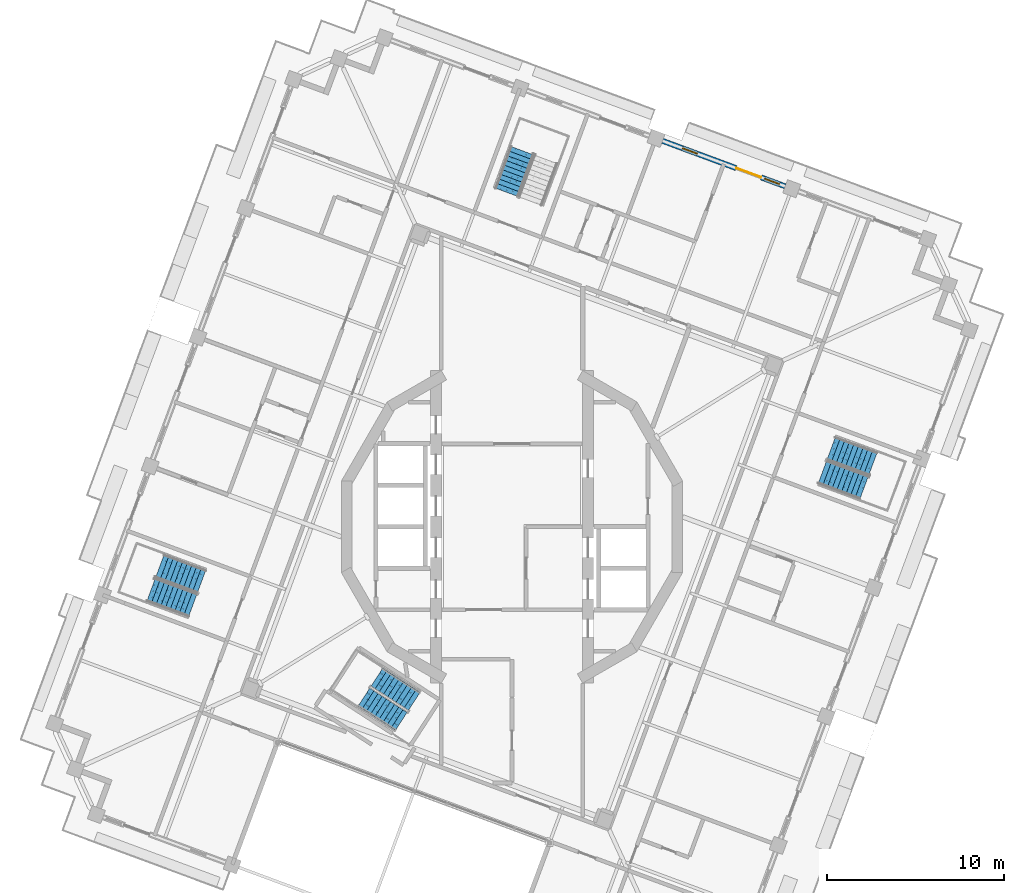
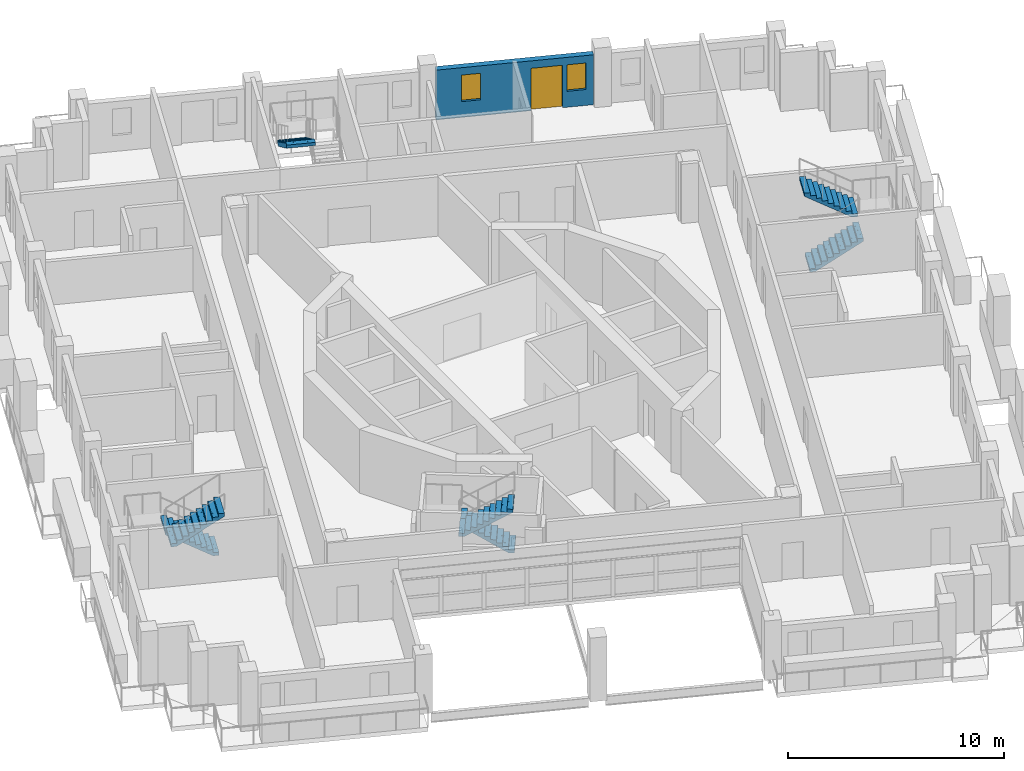
# One storey, part 11 of 19: 7 stair flights, 2 windows, 1 door, 1 wall, 3 openings, 4 elements without a shape of their own.
"""IFC4 building model written with IfcOpenShell, lengths in metres."""

import ifcopenshell
import ifcopenshell.guid

model = None  # the IFC model being written
_history = None  # IfcOwnerHistory: only IFC2X3 demands one
_inside = {}  # id of a spatial element -> (the spatial element, [elements in it])
_under = {}  # id of a project, library or spatial element -> (it, [spatial elements below it])
_declared = {}  # id of a project -> (the project, [libraries it declares])
_typed = {}  # id of a type object -> (the type object, [elements of that type])
_made_of = {}  # id of a material, layer set ... -> (it, [elements and type objects made of it])


def new_model(schema):
    """Start an empty IFC model of exactly this schema.

    Asked for "IFC4X3", IfcOpenShell would pick the latest addendum, in which some entities
    have other attributes; the version numbers below select the first issue.
    IFC2X3 requires an IfcOwnerHistory on every rooted entity: one is made here for all.
    """
    global model, _history
    if schema == "IFC4X3":
        model = ifcopenshell.file(schema_version=(4, 3, 0, 0))
    else:
        model = ifcopenshell.file(schema=schema)
    _inside.clear()
    _under.clear()
    _declared.clear()
    _typed.clear()
    _made_of.clear()
    _history = None
    if model.schema == "IFC2X3":
        org = make("IfcOrganization", Name="unknown")
        user = make(
            "IfcPersonAndOrganization",
            ThePerson=make("IfcPerson", FamilyName="unknown"),
            TheOrganization=org,
        )
        app = make(
            "IfcApplication",
            ApplicationDeveloper=org,
            Version="unknown",
            ApplicationFullName="unknown",
            ApplicationIdentifier="unknown",
        )
        _history = make(
            "IfcOwnerHistory",
            OwningUser=user,
            OwningApplication=app,
            ChangeAction="ADDED",
            CreationDate=0,
        )
    return model


def make(cls, **values):
    """One entity of the class cls with the attributes given. An attribute that is None is left unset."""
    return model.create_entity(
        cls, **{name: value for name, value in values.items() if value is not None}
    )


def rooted(cls, **values):
    """An entity with a GlobalId (a new one), such as an element, a storey or a relation."""
    return make(cls, GlobalId=ifcopenshell.guid.new(), OwnerHistory=_history, **values)


def si_unit(unit_type, name, prefix=None):
    """IfcSIUnit, for example si_unit("LENGTHUNIT", "METRE", prefix="MILLI")."""
    return make("IfcSIUnit", UnitType=unit_type, Prefix=prefix, Name=name)


def assignment(units):
    """IfcUnitAssignment: the units of a project."""
    return None if units is None else make("IfcUnitAssignment", Units=units)


def point(xyz):
    """IfcCartesianPoint."""
    return None if xyz is None else make("IfcCartesianPoint", Coordinates=xyz)


def direction(xyz):
    """IfcDirection."""
    return None if xyz is None else make("IfcDirection", DirectionRatios=xyz)


def frame(location, z_axis=None, x_axis=None):
    """IfcAxis2Placement3D, a coordinate frame: its origin and axes. An axis left out is left unset."""
    return make(
        "IfcAxis2Placement3D",
        Location=point(location),
        Axis=direction(z_axis),
        RefDirection=direction(x_axis),
    )


def frame_2d(location, x_axis=None):
    """IfcAxis2Placement2D, a coordinate frame in the plane: its origin and x axis."""
    return make(
        "IfcAxis2Placement2D", Location=point(location), RefDirection=direction(x_axis)
    )


def origin():
    """The frame at (0, 0, 0) with its axes left unset."""
    return frame((0.0, 0.0, 0.0))


def place(relative_to, where):
    """IfcLocalPlacement: puts the frame where relative to a parent placement (None: the world)."""
    return make(
        "IfcLocalPlacement", PlacementRelTo=relative_to, RelativePlacement=where
    )


def context(
    kind, dimensions, precision=None, world=None, true_north=None, identifier=None
):
    """IfcGeometricRepresentationContext, for example the 3D "Model" context."""
    return make(
        "IfcGeometricRepresentationContext",
        ContextIdentifier=identifier,
        ContextType=kind,
        CoordinateSpaceDimension=dimensions,
        Precision=precision,
        WorldCoordinateSystem=world,
        TrueNorth=true_north,
    )


def subcontext(parent, identifier, kind, view, scale=None):
    """IfcGeometricRepresentationSubContext, for example "Body" below "Model"."""
    return make(
        "IfcGeometricRepresentationSubContext",
        ContextIdentifier=identifier,
        ContextType=kind,
        ParentContext=parent,
        TargetScale=scale,
        TargetView=view,
    )


def project(units=None, contexts=None):
    """IfcProject with its units and contexts."""
    return rooted(
        "IfcProject",
        Name="project",
        RepresentationContexts=contexts,
        UnitsInContext=assignment(units),
    )


def spatial(cls, under=None, at=None, **own):
    """A site, building, storey or space (cls), placed at a placement, below another one or the project."""
    s = rooted(cls, ObjectPlacement=at, **own)
    if under is not None:
        _under.setdefault(under.id(), (under, []))[1].append(s)
    return s


def polyline(points):
    """IfcPolyline through the points."""
    return make("IfcPolyline", Points=[point(p) for p in points])


def profile(cls, at=None, kind="AREA", **sizes):
    """A parametric profile (cls). Its sizes go by their IFC names, for example OverallWidth=200.0."""
    return make(cls, ProfileType=kind, Position=at, **sizes)


def rectangle(**sizes):
    """IfcRectangleProfileDef."""
    return profile("IfcRectangleProfileDef", **sizes)


def outline(outer, holes=None, kind="AREA"):
    """IfcArbitraryClosedProfileDef: a profile drawn as a closed curve; with holes, ...WithVoids."""
    if holes is None:
        return make("IfcArbitraryClosedProfileDef", ProfileType=kind, OuterCurve=outer)
    return make(
        "IfcArbitraryProfileDefWithVoids",
        ProfileType=kind,
        OuterCurve=outer,
        InnerCurves=holes,
    )


def extrude(swept, where, along, depth):
    """IfcExtrudedAreaSolid: the profile swept, set in the frame where, extruded along a direction by depth."""
    return make(
        "IfcExtrudedAreaSolid",
        SweptArea=swept,
        Position=where,
        ExtrudedDirection=direction(along),
        Depth=depth,
    )


def shape(context_of_items, identifier, shape_type, items):
    """IfcShapeRepresentation: the items that make up one representation, for example the "Body"."""
    return make(
        "IfcShapeRepresentation",
        ContextOfItems=context_of_items,
        RepresentationIdentifier=identifier,
        RepresentationType=shape_type,
        Items=items,
    )


def material(Name=None, Category=None):
    """IfcMaterial."""
    return make("IfcMaterial", Name=Name, Category=Category)


def layer(
    of_material, thickness, ventilated=None, Name=None, Category=None, Priority=None
):
    """IfcMaterialLayer: one layer of a wall or slab, of a material (None: an air gap)."""
    return make(
        "IfcMaterialLayer",
        Material=of_material,
        LayerThickness=thickness,
        IsVentilated=ventilated,
        Name=Name,
        Category=Category,
        Priority=Priority,
    )


def layer_set(layers, Name=None):
    """IfcMaterialLayerSet."""
    return make("IfcMaterialLayerSet", MaterialLayers=layers, LayerSetName=Name)


def made_of(thing, what):
    """Note that an element or type object is made of a material, layer set ...; save() writes the relation."""
    if what is not None:
        _made_of.setdefault(what.id(), (what, []))[1].append(thing)
    return thing


def type_object(cls, material=None, **own):
    """A type object (cls), such as IfcWallType, which elements share."""
    return made_of(rooted(cls, **own), material)


def element(
    cls,
    number,
    at=None,
    inside=None,
    cuts=None,
    type_object=None,
    material=None,
    context=None,
    identifier="Body",
    shape_type=None,
    held_by="IfcProductDefinitionShape",
    body=None,
    shapes=None,
    **own,
):
    """One element of the class cls, such as IfcWall. Its Tag is "e" and its number.

    at: its placement. inside: the storey or other place that contains it. cuts: it is an
    opening in that element (IfcRelVoidsElement). A single representation is given by context,
    identifier, shape_type and body (its items); several are given by shapes. held_by: the class
    of the entity that holds the representations. save() writes the other relations.
    """
    e = rooted(cls, Tag="e%d" % number, ObjectPlacement=at, **own)
    if body is not None:
        shapes = [shape(context, identifier, shape_type, body)]
    if shapes is not None:
        e.Representation = make(held_by, Representations=shapes)
    if inside is not None:
        _inside.setdefault(inside.id(), (inside, []))[1].append(e)
    if cuts is not None:
        rooted(
            "IfcRelVoidsElement", RelatingBuildingElement=cuts, RelatedOpeningElement=e
        )
    if type_object is not None:
        _typed.setdefault(type_object.id(), (type_object, []))[1].append(e)
    return made_of(e, material)


def fill(opening, filler):
    """IfcRelFillsElement: the door or window that sits in an opening."""
    return rooted(
        "IfcRelFillsElement",
        RelatingOpeningElement=opening,
        RelatedBuildingElement=filler,
    )


def aggregate(whole, parts):
    """IfcRelAggregates: a whole, such as a stair, and the parts it consists of."""
    return rooted("IfcRelAggregates", RelatingObject=whole, RelatedObjects=parts)


def save(model, path):
    """Write the relations noted so far, then the file.

    IfcRelAggregates (storeys below a building ...), IfcRelContainedInSpatialStructure (elements
    in a storey), IfcRelDefinesByType, IfcRelAssociatesMaterial and IfcRelDeclares: one each for
    every whole, place, type object, material and project.
    """
    for whole, parts in _under.values():
        aggregate(whole, parts)
    for where, things in _inside.values():
        rooted(
            "IfcRelContainedInSpatialStructure",
            RelatedElements=things,
            RelatingStructure=where,
        )
    for kind, things in _typed.values():
        rooted("IfcRelDefinesByType", RelatedObjects=things, RelatingType=kind)
    for what, things in _made_of.values():
        rooted("IfcRelAssociatesMaterial", RelatedObjects=things, RelatingMaterial=what)
    for by, libraries in _declared.values():
        rooted("IfcRelDeclares", RelatingContext=by, RelatedDefinitions=libraries)
    model.write(path)


model = new_model("IFC4")

# Units and contexts
model_context = context("Model", 3, precision=1e-05, world=origin(), true_north=direction((0.0, 1.0)))
body_context = subcontext(model_context, "Body", "Model", "MODEL_VIEW")
ifc_project = project(units=[si_unit("LENGTHUNIT", "METRE"), si_unit("AREAUNIT", "SQUARE_METRE"), si_unit("VOLUMEUNIT", "CUBIC_METRE"), si_unit("PLANEANGLEUNIT", "RADIAN"), si_unit("MASSUNIT", "GRAM", prefix="KILO")], contexts=[model_context])

# Site, building, storey
site_placement = place(None, origin())
site = spatial("IfcSite", under=ifc_project, at=site_placement, CompositionType="ELEMENT")
building_placement = place(site_placement, origin())
building = spatial("IfcBuilding", under=site, at=building_placement, Name="Cantera Rosa Tower", CompositionType="ELEMENT")
storey_placement = place(building_placement, frame((0.0, 0.0, 320.5)))
storey = spatial("IfcBuildingStorey", under=building, at=storey_placement, Name="L71", CompositionType="ELEMENT", Elevation=320.5)

# Wall, openings, windows, door
ifc_material_1 = material(Name="Hollow clay masonry with cantera stone cladding", Category="masonry")
ifc_layer = layer(ifc_material_1, 0.300048828125)
ifc_layer_set = layer_set([ifc_layer], Name="EW-LOGGIA 300 H2820")
wall_type = type_object("IfcWallType", Name="EW-LOGGIA 300 H2820", PredefinedType="SOLIDWALL", material=ifc_layer_set)
wall_placement = place(storey_placement, frame((15.46240234375, 19.2783203125, 0.0), z_axis=(0.0, 0.0, 1.0), x_axis=(-0.937680690562, 0.34749808999, 0.0)))
wall = element("IfcWall", 1, at=wall_placement, inside=storey, type_object=wall_type, Name="EN-L71-W02", PredefinedType="SOLIDWALL", context=body_context, shape_type="SweptSolid", body=[
    extrude(rectangle(XDim=7.400146484375, YDim=0.300048828125, at=frame_2d((3.7001953125, 0.0))), origin(), (0.0, 0.0, 1.0), 2.820068359375),
])
opening_1_placement = place(wall_placement, frame((0.35009765625, 0.0, 0.89990234375)))
opening_1 = element("IfcOpeningElement", 2, at=opening_1_placement, cuts=wall, Name="Opening L71-W04", PredefinedType="OPENING", context=body_context, shape_type="SweptSolid", body=[
    extrude(rectangle(XDim=0.89990234375, YDim=1.5, at=frame_2d((0.449951171875, 0.75))), frame((0.0, 0.159912109375, 0.0), z_axis=(0.0, -1.0, 0.0), x_axis=(1.0, 0.0, 0.0)), (0.0, 0.0, 1.0), 0.320068359375),
])
opening_2_placement = place(wall_placement, frame((1.449951171875, 0.0, 0.0)))
opening_2 = element("IfcOpeningElement", 3, at=opening_2_placement, cuts=wall, Name="Opening L71-TD05", PredefinedType="OPENING", context=body_context, shape_type="SweptSolid", body=[
    extrude(rectangle(XDim=1.5, YDim=2.39990234375, at=frame_2d((0.75, 1.199951171875))), frame((0.0, 0.159912109375, 0.0), z_axis=(0.0, -1.0, 0.0), x_axis=(1.0, 0.0, 0.0)), (0.0, 0.0, 1.0), 0.320068359375),
])
opening_3_placement = place(wall_placement, frame((5.300048828125, 0.0, 0.89990234375)))
opening_3 = element("IfcOpeningElement", 4, at=opening_3_placement, cuts=wall, Name="Opening L71-W06", PredefinedType="OPENING", context=body_context, shape_type="SweptSolid", body=[
    extrude(rectangle(XDim=0.89990234375, YDim=1.5, at=frame_2d((0.449951171875, 0.75))), frame((0.0, 0.159912109375, 0.0), z_axis=(0.0, -1.0, 0.0), x_axis=(1.0, 0.0, 0.0)), (0.0, 0.0, 1.0), 0.320068359375),
])
ifc_material_2 = material(Name="Aluminium frame with clear glass", Category="aluminium")
window_type = type_object("IfcWindowType", Name="Residential window 900x1500", PartitioningType="SINGLE_PANEL", PredefinedType="WINDOW", material=ifc_material_2)
window_1_placement = place(opening_1_placement, origin())
window_1 = element("IfcWindow", 5, at=window_1_placement, inside=storey, type_object=window_type, Name="WINDOW L71-W04", OverallHeight=1.5, OverallWidth=0.89990234375, PartitioningType="SINGLE_PANEL", PredefinedType="WINDOW", context=body_context, shape_type="SweptSolid", body=[
    extrude(rectangle(XDim=0.89990234375, YDim=1.5, at=frame_2d((0.449951171875, 0.75))), frame((0.0, 0.030029296875, 0.0), z_axis=(0.0, -1.0, 0.0), x_axis=(1.0, 0.0, 0.0)), (0.0, 0.0, 1.0), 0.06005859375),
])
fill(opening_1, window_1)
window_2_placement = place(opening_3_placement, origin())
window_2 = element("IfcWindow", 6, at=window_2_placement, inside=storey, type_object=window_type, Name="WINDOW L71-W06", OverallHeight=1.5, OverallWidth=0.89990234375, PartitioningType="SINGLE_PANEL", PredefinedType="WINDOW", context=body_context, shape_type="SweptSolid", body=[
    extrude(rectangle(XDim=0.89990234375, YDim=1.5, at=frame_2d((0.449951171875, 0.75))), frame((0.0, 0.030029296875, 0.0), z_axis=(0.0, -1.0, 0.0), x_axis=(1.0, 0.0, 0.0)), (0.0, 0.0, 1.0), 0.06005859375),
])
fill(opening_3, window_2)
ifc_material_3 = material(Name="Aluminium frame with clear glass", Category="aluminium")
door_type = type_object("IfcDoorType", Name="TD-R 1500x2400", OperationType="NOTDEFINED", PredefinedType="DOOR", material=ifc_material_3)
door_placement = place(opening_2_placement, origin())
door = element("IfcDoor", 7, at=door_placement, inside=storey, type_object=door_type, Name="LOGGIA DOOR L71-TD05", OperationType="SLIDING_TO_LEFT", OverallHeight=2.39990234375, OverallWidth=1.5, PredefinedType="DOOR", context=body_context, shape_type="SweptSolid", body=[
    extrude(rectangle(XDim=1.5, YDim=2.39990234375, at=frame_2d((0.75, 1.199951171875))), frame((0.0, 0.02490234375, 0.0), z_axis=(0.0, -1.0, 0.0), x_axis=(1.0, 0.0, 0.0)), (0.0, 0.0, 1.0), 0.050048828125),
])
fill(opening_2, door)

# Stair, stair flights
ifc_material_4 = material(Name="Concrete C35/45", Category="concrete")
stair_type_1 = type_object("IfcStairType", Name="EXIT STAIR 1200 DOGLEG", PredefinedType="HALF_TURN_STAIR", material=ifc_material_4)
stair_1_placement = place(storey_placement, origin())
stair_1 = element("IfcStair", 8, at=stair_1_placement, inside=storey, type_object=stair_type_1, Name="L71 ST-64", PredefinedType="HALF_TURN_STAIR")
ifc_material_5 = material(Name="Concrete C35/45", Category="concrete")
stair_flight_type_1 = type_object("IfcStairFlightType", Name="STAIR FLIGHT 1200 R20x180", PredefinedType="STRAIGHT", material=ifc_material_5)
stair_flight_1_placement = place(storey_placement, frame((-5.532470703125, -9.878173828125, 0.0), z_axis=(0.0, 0.0, 1.0), x_axis=(-0.838670567945, 0.544639035015, 0.0)))
stair_flight_1 = element("IfcStairFlight", 9, at=stair_flight_1_placement, type_object=stair_flight_type_1, Name="ST-64 flight 1", NumberOfRisers=10, NumberOfTreads=9, PredefinedType="STRAIGHT", RiserHeight=0.18, TreadLength=0.28, context=body_context, shape_type="SweptSolid", body=[
    extrude(outline(polyline([(0.0, 0.0), (0.0, 0.179931640625), (0.280029296875, 0.179931640625), (0.280029296875, 0.360107421875), (0.56005859375, 0.360107421875), (0.56005859375, 0.5400390625), (0.840087890625, 0.5400390625), (0.840087890625, 0.719970703125), (1.1201171875, 0.719970703125), (1.1201171875, 0.89990234375), (1.39990234375, 0.89990234375), (1.39990234375, 1.080078125), (1.679931640625, 1.080078125), (1.679931640625, 1.260009765625), (1.9599609375, 1.260009765625), (1.9599609375, 1.43994140625), (2.239990234375, 1.43994140625), (2.239990234375, 1.6201171875), (2.52001953125, 1.6201171875), (2.52001953125, 1.800048828125), (2.52001953125, 1.44189453125), (0.277099609375, 0.0), (0.0, 0.0)])), frame((0.0, 0.60009765625, 0.0), z_axis=(0.0, -1.0, 0.0), x_axis=(1.0, 0.0, 0.0)), (0.0, 0.0, 1.0), 0.298583984375),
    extrude(outline(polyline([(0.0, 0.0), (0.0, 0.179931640625), (0.280029296875, 0.179931640625), (0.280029296875, 0.360107421875), (0.56005859375, 0.360107421875), (0.56005859375, 0.5400390625), (0.840087890625, 0.5400390625), (0.840087890625, 0.719970703125), (1.1201171875, 0.719970703125), (1.1201171875, 0.89990234375), (1.39990234375, 0.89990234375), (1.39990234375, 1.080078125), (1.679931640625, 1.080078125), (1.679931640625, 1.260009765625), (1.9599609375, 1.260009765625), (1.9599609375, 1.43994140625), (2.239990234375, 1.43994140625), (2.239990234375, 1.6201171875), (2.52001953125, 1.6201171875), (2.52001953125, 1.800048828125), (2.52001953125, 1.44189453125), (0.277099609375, 0.0), (0.0, 0.0)])), frame((0.0, 0.29931640625, 0.0), z_axis=(0.0, -1.0, 0.0), x_axis=(1.0, 0.0, 0.0)), (0.0, 0.0, 1.0), 0.298583984375),
    extrude(outline(polyline([(0.0, 0.0), (0.0, 0.179931640625), (0.280029296875, 0.179931640625), (0.280029296875, 0.360107421875), (0.56005859375, 0.360107421875), (0.56005859375, 0.5400390625), (0.840087890625, 0.5400390625), (0.840087890625, 0.719970703125), (1.1201171875, 0.719970703125), (1.1201171875, 0.89990234375), (1.39990234375, 0.89990234375), (1.39990234375, 1.080078125), (1.679931640625, 1.080078125), (1.679931640625, 1.260009765625), (1.9599609375, 1.260009765625), (1.9599609375, 1.43994140625), (2.239990234375, 1.43994140625), (2.239990234375, 1.6201171875), (2.52001953125, 1.6201171875), (2.52001953125, 1.800048828125), (2.52001953125, 1.44189453125), (0.277099609375, 0.0), (0.0, 0.0)])), frame((0.0, -0.0009765625, 0.0), z_axis=(0.0, -1.0, 0.0), x_axis=(1.0, 0.0, 0.0)), (0.0, 0.0, 1.0), 0.298583984375),
    extrude(outline(polyline([(0.0, 0.0), (0.0, 0.179931640625), (0.280029296875, 0.179931640625), (0.280029296875, 0.360107421875), (0.56005859375, 0.360107421875), (0.56005859375, 0.5400390625), (0.840087890625, 0.5400390625), (0.840087890625, 0.719970703125), (1.1201171875, 0.719970703125), (1.1201171875, 0.89990234375), (1.39990234375, 0.89990234375), (1.39990234375, 1.080078125), (1.679931640625, 1.080078125), (1.679931640625, 1.260009765625), (1.9599609375, 1.260009765625), (1.9599609375, 1.43994140625), (2.239990234375, 1.43994140625), (2.239990234375, 1.6201171875), (2.52001953125, 1.6201171875), (2.52001953125, 1.800048828125), (2.52001953125, 1.44189453125), (0.277099609375, 0.0), (0.0, 0.0)])), frame((0.0, -0.3017578125, 0.0), z_axis=(0.0, -1.0, 0.0), x_axis=(1.0, 0.0, 0.0)), (0.0, 0.0, 1.0), 0.298583984375),
])
stair_flight_2_placement = place(storey_placement, frame((-8.381103515625, -9.6376953125, 1.800048828125), z_axis=(0.0, 0.0, 1.0), x_axis=(0.838670567945, -0.544639035015, 0.0)))
stair_flight_2 = element("IfcStairFlight", 10, at=stair_flight_2_placement, type_object=stair_flight_type_1, Name="ST-64 flight 2", NumberOfRisers=10, NumberOfTreads=9, PredefinedType="STRAIGHT", RiserHeight=0.18, TreadLength=0.28, context=body_context, shape_type="SweptSolid", body=[
    extrude(outline(polyline([(0.0, 0.0), (0.0, 0.179931640625), (0.280029296875, 0.179931640625), (0.280029296875, 0.360107421875), (0.56005859375, 0.360107421875), (0.56005859375, 0.5400390625), (0.840087890625, 0.5400390625), (0.840087890625, 0.719970703125), (1.1201171875, 0.719970703125), (1.1201171875, 0.89990234375), (1.39990234375, 0.89990234375), (1.39990234375, 1.080078125), (1.679931640625, 1.080078125), (1.679931640625, 1.260009765625), (1.9599609375, 1.260009765625), (1.9599609375, 1.43994140625), (2.239990234375, 1.43994140625), (2.239990234375, 1.6201171875), (2.52001953125, 1.6201171875), (2.52001953125, 1.800048828125), (2.52001953125, 1.44189453125), (0.277099609375, 0.0), (0.0, 0.0)])), frame((0.0, 0.60009765625, 0.0), z_axis=(0.0, -1.0, 0.0), x_axis=(1.0, 0.0, 0.0)), (0.0, 0.0, 1.0), 0.298583984375),
    extrude(outline(polyline([(0.0, 0.0), (0.0, 0.179931640625), (0.280029296875, 0.179931640625), (0.280029296875, 0.360107421875), (0.56005859375, 0.360107421875), (0.56005859375, 0.5400390625), (0.840087890625, 0.5400390625), (0.840087890625, 0.719970703125), (1.1201171875, 0.719970703125), (1.1201171875, 0.89990234375), (1.39990234375, 0.89990234375), (1.39990234375, 1.080078125), (1.679931640625, 1.080078125), (1.679931640625, 1.260009765625), (1.9599609375, 1.260009765625), (1.9599609375, 1.43994140625), (2.239990234375, 1.43994140625), (2.239990234375, 1.6201171875), (2.52001953125, 1.6201171875), (2.52001953125, 1.800048828125), (2.52001953125, 1.44189453125), (0.277099609375, 0.0), (0.0, 0.0)])), frame((0.0, 0.29931640625, 0.0), z_axis=(0.0, -1.0, 0.0), x_axis=(1.0, 0.0, 0.0)), (0.0, 0.0, 1.0), 0.298583984375),
    extrude(outline(polyline([(0.0, 0.0), (0.0, 0.179931640625), (0.280029296875, 0.179931640625), (0.280029296875, 0.360107421875), (0.56005859375, 0.360107421875), (0.56005859375, 0.5400390625), (0.840087890625, 0.5400390625), (0.840087890625, 0.719970703125), (1.1201171875, 0.719970703125), (1.1201171875, 0.89990234375), (1.39990234375, 0.89990234375), (1.39990234375, 1.080078125), (1.679931640625, 1.080078125), (1.679931640625, 1.260009765625), (1.9599609375, 1.260009765625), (1.9599609375, 1.43994140625), (2.239990234375, 1.43994140625), (2.239990234375, 1.6201171875), (2.52001953125, 1.6201171875), (2.52001953125, 1.800048828125), (2.52001953125, 1.44189453125), (0.277099609375, 0.0), (0.0, 0.0)])), frame((0.0, -0.0009765625, 0.0), z_axis=(0.0, -1.0, 0.0), x_axis=(1.0, 0.0, 0.0)), (0.0, 0.0, 1.0), 0.298583984375),
    extrude(outline(polyline([(0.0, 0.0), (0.0, 0.179931640625), (0.280029296875, 0.179931640625), (0.280029296875, 0.360107421875), (0.56005859375, 0.360107421875), (0.56005859375, 0.5400390625), (0.840087890625, 0.5400390625), (0.840087890625, 0.719970703125), (1.1201171875, 0.719970703125), (1.1201171875, 0.89990234375), (1.39990234375, 0.89990234375), (1.39990234375, 1.080078125), (1.679931640625, 1.080078125), (1.679931640625, 1.260009765625), (1.9599609375, 1.260009765625), (1.9599609375, 1.43994140625), (2.239990234375, 1.43994140625), (2.239990234375, 1.6201171875), (2.52001953125, 1.6201171875), (2.52001953125, 1.800048828125), (2.52001953125, 1.44189453125), (0.277099609375, 0.0), (0.0, 0.0)])), frame((0.0, -0.3017578125, 0.0), z_axis=(0.0, -1.0, 0.0), x_axis=(1.0, 0.0, 0.0)), (0.0, 0.0, 1.0), 0.298583984375),
])
aggregate(stair_1, [stair_flight_1, stair_flight_2])

ifc_material_6 = material(Name="Concrete C35/45", Category="concrete")
stair_type_2 = type_object("IfcStairType", Name="EXIT STAIR 1350 DOGLEG", PredefinedType="HALF_TURN_STAIR", material=ifc_material_6)
stair_2_placement = place(storey_placement, origin())
stair_2 = element("IfcStair", 11, at=stair_2_placement, inside=storey, type_object=stair_type_2, Name="L71 ST-61", PredefinedType="HALF_TURN_STAIR")
ifc_material_7 = material(Name="Concrete C35/45", Category="concrete")
stair_flight_type_2 = type_object("IfcStairFlightType", Name="STAIR FLIGHT 1350 R20x180", PredefinedType="STRAIGHT", material=ifc_material_7)
stair_flight_3_placement = place(storey_placement, frame((17.55908203125, 3.064453125, 0.0), z_axis=(0.0, 0.0, 1.0), x_axis=(0.937686938944, -0.347481229039, 0.0)))
stair_flight_3 = element("IfcStairFlight", 12, at=stair_flight_3_placement, type_object=stair_flight_type_2, Name="ST-61 flight 1", NumberOfRisers=10, NumberOfTreads=9, PredefinedType="STRAIGHT", RiserHeight=0.18, TreadLength=0.28, context=body_context, shape_type="SweptSolid", body=[
    extrude(outline(polyline([(0.0, 0.0), (0.0, 0.179931640625), (0.280029296875, 0.179931640625), (0.280029296875, 0.360107421875), (0.56005859375, 0.360107421875), (0.56005859375, 0.5400390625), (0.840087890625, 0.5400390625), (0.840087890625, 0.719970703125), (1.1201171875, 0.719970703125), (1.1201171875, 0.89990234375), (1.39990234375, 0.89990234375), (1.39990234375, 1.080078125), (1.679931640625, 1.080078125), (1.679931640625, 1.260009765625), (1.9599609375, 1.260009765625), (1.9599609375, 1.43994140625), (2.239990234375, 1.43994140625), (2.239990234375, 1.6201171875), (2.52001953125, 1.6201171875), (2.52001953125, 1.800048828125), (2.52001953125, 1.44189453125), (0.277099609375, 0.0), (0.0, 0.0)])), frame((0.0, 0.675048828125, 0.0), z_axis=(0.0, -1.0, 0.0), x_axis=(1.0, 0.0, 0.0)), (0.0, 0.0, 1.0), 0.3359375),
    extrude(outline(polyline([(0.0, 0.0), (0.0, 0.179931640625), (0.280029296875, 0.179931640625), (0.280029296875, 0.360107421875), (0.56005859375, 0.360107421875), (0.56005859375, 0.5400390625), (0.840087890625, 0.5400390625), (0.840087890625, 0.719970703125), (1.1201171875, 0.719970703125), (1.1201171875, 0.89990234375), (1.39990234375, 0.89990234375), (1.39990234375, 1.080078125), (1.679931640625, 1.080078125), (1.679931640625, 1.260009765625), (1.9599609375, 1.260009765625), (1.9599609375, 1.43994140625), (2.239990234375, 1.43994140625), (2.239990234375, 1.6201171875), (2.52001953125, 1.6201171875), (2.52001953125, 1.800048828125), (2.52001953125, 1.44189453125), (0.277099609375, 0.0), (0.0, 0.0)])), frame((0.0, 0.337158203125, 0.0), z_axis=(0.0, -1.0, 0.0), x_axis=(1.0, 0.0, 0.0)), (0.0, 0.0, 1.0), 0.3359375),
    extrude(outline(polyline([(0.0, 0.0), (0.0, 0.179931640625), (0.280029296875, 0.179931640625), (0.280029296875, 0.360107421875), (0.56005859375, 0.360107421875), (0.56005859375, 0.5400390625), (0.840087890625, 0.5400390625), (0.840087890625, 0.719970703125), (1.1201171875, 0.719970703125), (1.1201171875, 0.89990234375), (1.39990234375, 0.89990234375), (1.39990234375, 1.080078125), (1.679931640625, 1.080078125), (1.679931640625, 1.260009765625), (1.9599609375, 1.260009765625), (1.9599609375, 1.43994140625), (2.239990234375, 1.43994140625), (2.239990234375, 1.6201171875), (2.52001953125, 1.6201171875), (2.52001953125, 1.800048828125), (2.52001953125, 1.44189453125), (0.277099609375, 0.0), (0.0, 0.0)])), frame((0.0, -0.000732421875, 0.0), z_axis=(0.0, -1.0, 0.0), x_axis=(1.0, 0.0, 0.0)), (0.0, 0.0, 1.0), 0.3359375),
    extrude(outline(polyline([(0.0, 0.0), (0.0, 0.179931640625), (0.280029296875, 0.179931640625), (0.280029296875, 0.360107421875), (0.56005859375, 0.360107421875), (0.56005859375, 0.5400390625), (0.840087890625, 0.5400390625), (0.840087890625, 0.719970703125), (1.1201171875, 0.719970703125), (1.1201171875, 0.89990234375), (1.39990234375, 0.89990234375), (1.39990234375, 1.080078125), (1.679931640625, 1.080078125), (1.679931640625, 1.260009765625), (1.9599609375, 1.260009765625), (1.9599609375, 1.43994140625), (2.239990234375, 1.43994140625), (2.239990234375, 1.6201171875), (2.52001953125, 1.6201171875), (2.52001953125, 1.800048828125), (2.52001953125, 1.44189453125), (0.277099609375, 0.0), (0.0, 0.0)])), frame((0.0, -0.338623046875, 0.0), z_axis=(0.0, -1.0, 0.0), x_axis=(1.0, 0.0, 0.0)), (0.0, 0.0, 1.0), 0.3359375),
])
stair_flight_4_placement = place(storey_placement, frame((20.443115234375, 3.595458984375, 1.800048828125), z_axis=(0.0, 0.0, 1.0), x_axis=(-0.937686938944, 0.347481229039, 0.0)))
stair_flight_4 = element("IfcStairFlight", 13, at=stair_flight_4_placement, type_object=stair_flight_type_2, Name="ST-61 flight 2", NumberOfRisers=10, NumberOfTreads=9, PredefinedType="STRAIGHT", RiserHeight=0.18, TreadLength=0.28, context=body_context, shape_type="SweptSolid", body=[
    extrude(outline(polyline([(0.0, 0.0), (0.0, 0.179931640625), (0.280029296875, 0.179931640625), (0.280029296875, 0.360107421875), (0.56005859375, 0.360107421875), (0.56005859375, 0.5400390625), (0.840087890625, 0.5400390625), (0.840087890625, 0.719970703125), (1.1201171875, 0.719970703125), (1.1201171875, 0.89990234375), (1.39990234375, 0.89990234375), (1.39990234375, 1.080078125), (1.679931640625, 1.080078125), (1.679931640625, 1.260009765625), (1.9599609375, 1.260009765625), (1.9599609375, 1.43994140625), (2.239990234375, 1.43994140625), (2.239990234375, 1.6201171875), (2.52001953125, 1.6201171875), (2.52001953125, 1.800048828125), (2.52001953125, 1.44189453125), (0.277099609375, 0.0), (0.0, 0.0)])), frame((0.0, 0.675048828125, 0.0), z_axis=(0.0, -1.0, 0.0), x_axis=(1.0, 0.0, 0.0)), (0.0, 0.0, 1.0), 0.3359375),
    extrude(outline(polyline([(0.0, 0.0), (0.0, 0.179931640625), (0.280029296875, 0.179931640625), (0.280029296875, 0.360107421875), (0.56005859375, 0.360107421875), (0.56005859375, 0.5400390625), (0.840087890625, 0.5400390625), (0.840087890625, 0.719970703125), (1.1201171875, 0.719970703125), (1.1201171875, 0.89990234375), (1.39990234375, 0.89990234375), (1.39990234375, 1.080078125), (1.679931640625, 1.080078125), (1.679931640625, 1.260009765625), (1.9599609375, 1.260009765625), (1.9599609375, 1.43994140625), (2.239990234375, 1.43994140625), (2.239990234375, 1.6201171875), (2.52001953125, 1.6201171875), (2.52001953125, 1.800048828125), (2.52001953125, 1.44189453125), (0.277099609375, 0.0), (0.0, 0.0)])), frame((0.0, 0.337158203125, 0.0), z_axis=(0.0, -1.0, 0.0), x_axis=(1.0, 0.0, 0.0)), (0.0, 0.0, 1.0), 0.3359375),
    extrude(outline(polyline([(0.0, 0.0), (0.0, 0.179931640625), (0.280029296875, 0.179931640625), (0.280029296875, 0.360107421875), (0.56005859375, 0.360107421875), (0.56005859375, 0.5400390625), (0.840087890625, 0.5400390625), (0.840087890625, 0.719970703125), (1.1201171875, 0.719970703125), (1.1201171875, 0.89990234375), (1.39990234375, 0.89990234375), (1.39990234375, 1.080078125), (1.679931640625, 1.080078125), (1.679931640625, 1.260009765625), (1.9599609375, 1.260009765625), (1.9599609375, 1.43994140625), (2.239990234375, 1.43994140625), (2.239990234375, 1.6201171875), (2.52001953125, 1.6201171875), (2.52001953125, 1.800048828125), (2.52001953125, 1.44189453125), (0.277099609375, 0.0), (0.0, 0.0)])), frame((0.0, -0.000732421875, 0.0), z_axis=(0.0, -1.0, 0.0), x_axis=(1.0, 0.0, 0.0)), (0.0, 0.0, 1.0), 0.3359375),
    extrude(outline(polyline([(0.0, 0.0), (0.0, 0.179931640625), (0.280029296875, 0.179931640625), (0.280029296875, 0.360107421875), (0.56005859375, 0.360107421875), (0.56005859375, 0.5400390625), (0.840087890625, 0.5400390625), (0.840087890625, 0.719970703125), (1.1201171875, 0.719970703125), (1.1201171875, 0.89990234375), (1.39990234375, 0.89990234375), (1.39990234375, 1.080078125), (1.679931640625, 1.080078125), (1.679931640625, 1.260009765625), (1.9599609375, 1.260009765625), (1.9599609375, 1.43994140625), (2.239990234375, 1.43994140625), (2.239990234375, 1.6201171875), (2.52001953125, 1.6201171875), (2.52001953125, 1.800048828125), (2.52001953125, 1.44189453125), (0.277099609375, 0.0), (0.0, 0.0)])), frame((0.0, -0.338623046875, 0.0), z_axis=(0.0, -1.0, 0.0), x_axis=(1.0, 0.0, 0.0)), (0.0, 0.0, 1.0), 0.3359375),
])
aggregate(stair_2, [stair_flight_3, stair_flight_4])

# Stair, stair flight
stair_3_placement = place(storey_placement, origin())
stair_3 = element("IfcStair", 14, at=stair_3_placement, inside=storey, type_object=stair_type_2, Name="L71 ST-62", PredefinedType="HALF_TURN_STAIR")
stair_flight_5_placement = place(storey_placement, frame((0.53857421875, 21.310791015625, 1.800048828125), z_axis=(0.0, 0.0, 1.0), x_axis=(-0.347481229039, -0.937686938944, 0.0)))
stair_flight_5 = element("IfcStairFlight", 15, at=stair_flight_5_placement, type_object=stair_flight_type_2, Name="ST-62 flight 2", NumberOfRisers=10, NumberOfTreads=9, PredefinedType="STRAIGHT", RiserHeight=0.18, TreadLength=0.28, context=body_context, shape_type="SweptSolid", body=[
    extrude(outline(polyline([(0.0, 0.0), (0.0, 0.179931640625), (0.280029296875, 0.179931640625), (0.280029296875, 0.360107421875), (0.56005859375, 0.360107421875), (0.56005859375, 0.5400390625), (0.840087890625, 0.5400390625), (0.840087890625, 0.719970703125), (1.1201171875, 0.719970703125), (1.1201171875, 0.89990234375), (1.39990234375, 0.89990234375), (1.39990234375, 1.080078125), (1.679931640625, 1.080078125), (1.679931640625, 1.260009765625), (1.9599609375, 1.260009765625), (1.9599609375, 1.43994140625), (2.239990234375, 1.43994140625), (2.239990234375, 1.6201171875), (2.52001953125, 1.6201171875), (2.52001953125, 1.800048828125), (2.52001953125, 1.44189453125), (0.277099609375, 0.0), (0.0, 0.0)])), frame((0.0, 0.675048828125, 0.0), z_axis=(0.0, -1.0, 0.0), x_axis=(1.0, 0.0, 0.0)), (0.0, 0.0, 1.0), 0.3359375),
    extrude(outline(polyline([(0.0, 0.0), (0.0, 0.179931640625), (0.280029296875, 0.179931640625), (0.280029296875, 0.360107421875), (0.56005859375, 0.360107421875), (0.56005859375, 0.5400390625), (0.840087890625, 0.5400390625), (0.840087890625, 0.719970703125), (1.1201171875, 0.719970703125), (1.1201171875, 0.89990234375), (1.39990234375, 0.89990234375), (1.39990234375, 1.080078125), (1.679931640625, 1.080078125), (1.679931640625, 1.260009765625), (1.9599609375, 1.260009765625), (1.9599609375, 1.43994140625), (2.239990234375, 1.43994140625), (2.239990234375, 1.6201171875), (2.52001953125, 1.6201171875), (2.52001953125, 1.800048828125), (2.52001953125, 1.44189453125), (0.277099609375, 0.0), (0.0, 0.0)])), frame((0.0, 0.337158203125, 0.0), z_axis=(0.0, -1.0, 0.0), x_axis=(1.0, 0.0, 0.0)), (0.0, 0.0, 1.0), 0.3359375),
    extrude(outline(polyline([(0.0, 0.0), (0.0, 0.179931640625), (0.280029296875, 0.179931640625), (0.280029296875, 0.360107421875), (0.56005859375, 0.360107421875), (0.56005859375, 0.5400390625), (0.840087890625, 0.5400390625), (0.840087890625, 0.719970703125), (1.1201171875, 0.719970703125), (1.1201171875, 0.89990234375), (1.39990234375, 0.89990234375), (1.39990234375, 1.080078125), (1.679931640625, 1.080078125), (1.679931640625, 1.260009765625), (1.9599609375, 1.260009765625), (1.9599609375, 1.43994140625), (2.239990234375, 1.43994140625), (2.239990234375, 1.6201171875), (2.52001953125, 1.6201171875), (2.52001953125, 1.800048828125), (2.52001953125, 1.44189453125), (0.277099609375, 0.0), (0.0, 0.0)])), frame((0.0, -0.000732421875, 0.0), z_axis=(0.0, -1.0, 0.0), x_axis=(1.0, 0.0, 0.0)), (0.0, 0.0, 1.0), 0.3359375),
    extrude(outline(polyline([(0.0, 0.0), (0.0, 0.179931640625), (0.280029296875, 0.179931640625), (0.280029296875, 0.360107421875), (0.56005859375, 0.360107421875), (0.56005859375, 0.5400390625), (0.840087890625, 0.5400390625), (0.840087890625, 0.719970703125), (1.1201171875, 0.719970703125), (1.1201171875, 0.89990234375), (1.39990234375, 0.89990234375), (1.39990234375, 1.080078125), (1.679931640625, 1.080078125), (1.679931640625, 1.260009765625), (1.9599609375, 1.260009765625), (1.9599609375, 1.43994140625), (2.239990234375, 1.43994140625), (2.239990234375, 1.6201171875), (2.52001953125, 1.6201171875), (2.52001953125, 1.800048828125), (2.52001953125, 1.44189453125), (0.277099609375, 0.0), (0.0, 0.0)])), frame((0.0, -0.338623046875, 0.0), z_axis=(0.0, -1.0, 0.0), x_axis=(1.0, 0.0, 0.0)), (0.0, 0.0, 1.0), 0.3359375),
])
aggregate(stair_3, [stair_flight_5])

# Stair, stair flights
stair_4_placement = place(storey_placement, origin())
stair_4 = element("IfcStair", 16, at=stair_4_placement, inside=storey, type_object=stair_type_2, Name="L71 ST-63", PredefinedType="HALF_TURN_STAIR")
stair_flight_6_placement = place(storey_placement, frame((-17.55908203125, -3.064453125, 0.0), z_axis=(0.0, 0.0, 1.0), x_axis=(-0.937686938944, 0.347481229039, 0.0)))
stair_flight_6 = element("IfcStairFlight", 17, at=stair_flight_6_placement, type_object=stair_flight_type_2, Name="ST-63 flight 1", NumberOfRisers=10, NumberOfTreads=9, PredefinedType="STRAIGHT", RiserHeight=0.18, TreadLength=0.28, context=body_context, shape_type="SweptSolid", body=[
    extrude(outline(polyline([(0.0, 0.0), (0.0, 0.179931640625), (0.280029296875, 0.179931640625), (0.280029296875, 0.360107421875), (0.56005859375, 0.360107421875), (0.56005859375, 0.5400390625), (0.840087890625, 0.5400390625), (0.840087890625, 0.719970703125), (1.1201171875, 0.719970703125), (1.1201171875, 0.89990234375), (1.39990234375, 0.89990234375), (1.39990234375, 1.080078125), (1.679931640625, 1.080078125), (1.679931640625, 1.260009765625), (1.9599609375, 1.260009765625), (1.9599609375, 1.43994140625), (2.239990234375, 1.43994140625), (2.239990234375, 1.6201171875), (2.52001953125, 1.6201171875), (2.52001953125, 1.800048828125), (2.52001953125, 1.44189453125), (0.277099609375, 0.0), (0.0, 0.0)])), frame((0.0, 0.675048828125, 0.0), z_axis=(0.0, -1.0, 0.0), x_axis=(1.0, 0.0, 0.0)), (0.0, 0.0, 1.0), 0.3359375),
    extrude(outline(polyline([(0.0, 0.0), (0.0, 0.179931640625), (0.280029296875, 0.179931640625), (0.280029296875, 0.360107421875), (0.56005859375, 0.360107421875), (0.56005859375, 0.5400390625), (0.840087890625, 0.5400390625), (0.840087890625, 0.719970703125), (1.1201171875, 0.719970703125), (1.1201171875, 0.89990234375), (1.39990234375, 0.89990234375), (1.39990234375, 1.080078125), (1.679931640625, 1.080078125), (1.679931640625, 1.260009765625), (1.9599609375, 1.260009765625), (1.9599609375, 1.43994140625), (2.239990234375, 1.43994140625), (2.239990234375, 1.6201171875), (2.52001953125, 1.6201171875), (2.52001953125, 1.800048828125), (2.52001953125, 1.44189453125), (0.277099609375, 0.0), (0.0, 0.0)])), frame((0.0, 0.337158203125, 0.0), z_axis=(0.0, -1.0, 0.0), x_axis=(1.0, 0.0, 0.0)), (0.0, 0.0, 1.0), 0.3359375),
    extrude(outline(polyline([(0.0, 0.0), (0.0, 0.179931640625), (0.280029296875, 0.179931640625), (0.280029296875, 0.360107421875), (0.56005859375, 0.360107421875), (0.56005859375, 0.5400390625), (0.840087890625, 0.5400390625), (0.840087890625, 0.719970703125), (1.1201171875, 0.719970703125), (1.1201171875, 0.89990234375), (1.39990234375, 0.89990234375), (1.39990234375, 1.080078125), (1.679931640625, 1.080078125), (1.679931640625, 1.260009765625), (1.9599609375, 1.260009765625), (1.9599609375, 1.43994140625), (2.239990234375, 1.43994140625), (2.239990234375, 1.6201171875), (2.52001953125, 1.6201171875), (2.52001953125, 1.800048828125), (2.52001953125, 1.44189453125), (0.277099609375, 0.0), (0.0, 0.0)])), frame((0.0, -0.000732421875, 0.0), z_axis=(0.0, -1.0, 0.0), x_axis=(1.0, 0.0, 0.0)), (0.0, 0.0, 1.0), 0.3359375),
    extrude(outline(polyline([(0.0, 0.0), (0.0, 0.179931640625), (0.280029296875, 0.179931640625), (0.280029296875, 0.360107421875), (0.56005859375, 0.360107421875), (0.56005859375, 0.5400390625), (0.840087890625, 0.5400390625), (0.840087890625, 0.719970703125), (1.1201171875, 0.719970703125), (1.1201171875, 0.89990234375), (1.39990234375, 0.89990234375), (1.39990234375, 1.080078125), (1.679931640625, 1.080078125), (1.679931640625, 1.260009765625), (1.9599609375, 1.260009765625), (1.9599609375, 1.43994140625), (2.239990234375, 1.43994140625), (2.239990234375, 1.6201171875), (2.52001953125, 1.6201171875), (2.52001953125, 1.800048828125), (2.52001953125, 1.44189453125), (0.277099609375, 0.0), (0.0, 0.0)])), frame((0.0, -0.338623046875, 0.0), z_axis=(0.0, -1.0, 0.0), x_axis=(1.0, 0.0, 0.0)), (0.0, 0.0, 1.0), 0.3359375),
])
stair_flight_7_placement = place(storey_placement, frame((-20.443115234375, -3.595458984375, 1.800048828125), z_axis=(0.0, 0.0, 1.0), x_axis=(0.937686938944, -0.347481229039, 0.0)))
stair_flight_7 = element("IfcStairFlight", 18, at=stair_flight_7_placement, type_object=stair_flight_type_2, Name="ST-63 flight 2", NumberOfRisers=10, NumberOfTreads=9, PredefinedType="STRAIGHT", RiserHeight=0.18, TreadLength=0.28, context=body_context, shape_type="SweptSolid", body=[
    extrude(outline(polyline([(0.0, 0.0), (0.0, 0.179931640625), (0.280029296875, 0.179931640625), (0.280029296875, 0.360107421875), (0.56005859375, 0.360107421875), (0.56005859375, 0.5400390625), (0.840087890625, 0.5400390625), (0.840087890625, 0.719970703125), (1.1201171875, 0.719970703125), (1.1201171875, 0.89990234375), (1.39990234375, 0.89990234375), (1.39990234375, 1.080078125), (1.679931640625, 1.080078125), (1.679931640625, 1.260009765625), (1.9599609375, 1.260009765625), (1.9599609375, 1.43994140625), (2.239990234375, 1.43994140625), (2.239990234375, 1.6201171875), (2.52001953125, 1.6201171875), (2.52001953125, 1.800048828125), (2.52001953125, 1.44189453125), (0.277099609375, 0.0), (0.0, 0.0)])), frame((0.0, 0.675048828125, 0.0), z_axis=(0.0, -1.0, 0.0), x_axis=(1.0, 0.0, 0.0)), (0.0, 0.0, 1.0), 0.3359375),
    extrude(outline(polyline([(0.0, 0.0), (0.0, 0.179931640625), (0.280029296875, 0.179931640625), (0.280029296875, 0.360107421875), (0.56005859375, 0.360107421875), (0.56005859375, 0.5400390625), (0.840087890625, 0.5400390625), (0.840087890625, 0.719970703125), (1.1201171875, 0.719970703125), (1.1201171875, 0.89990234375), (1.39990234375, 0.89990234375), (1.39990234375, 1.080078125), (1.679931640625, 1.080078125), (1.679931640625, 1.260009765625), (1.9599609375, 1.260009765625), (1.9599609375, 1.43994140625), (2.239990234375, 1.43994140625), (2.239990234375, 1.6201171875), (2.52001953125, 1.6201171875), (2.52001953125, 1.800048828125), (2.52001953125, 1.44189453125), (0.277099609375, 0.0), (0.0, 0.0)])), frame((0.0, 0.337158203125, 0.0), z_axis=(0.0, -1.0, 0.0), x_axis=(1.0, 0.0, 0.0)), (0.0, 0.0, 1.0), 0.3359375),
    extrude(outline(polyline([(0.0, 0.0), (0.0, 0.179931640625), (0.280029296875, 0.179931640625), (0.280029296875, 0.360107421875), (0.56005859375, 0.360107421875), (0.56005859375, 0.5400390625), (0.840087890625, 0.5400390625), (0.840087890625, 0.719970703125), (1.1201171875, 0.719970703125), (1.1201171875, 0.89990234375), (1.39990234375, 0.89990234375), (1.39990234375, 1.080078125), (1.679931640625, 1.080078125), (1.679931640625, 1.260009765625), (1.9599609375, 1.260009765625), (1.9599609375, 1.43994140625), (2.239990234375, 1.43994140625), (2.239990234375, 1.6201171875), (2.52001953125, 1.6201171875), (2.52001953125, 1.800048828125), (2.52001953125, 1.44189453125), (0.277099609375, 0.0), (0.0, 0.0)])), frame((0.0, -0.000732421875, 0.0), z_axis=(0.0, -1.0, 0.0), x_axis=(1.0, 0.0, 0.0)), (0.0, 0.0, 1.0), 0.3359375),
    extrude(outline(polyline([(0.0, 0.0), (0.0, 0.179931640625), (0.280029296875, 0.179931640625), (0.280029296875, 0.360107421875), (0.56005859375, 0.360107421875), (0.56005859375, 0.5400390625), (0.840087890625, 0.5400390625), (0.840087890625, 0.719970703125), (1.1201171875, 0.719970703125), (1.1201171875, 0.89990234375), (1.39990234375, 0.89990234375), (1.39990234375, 1.080078125), (1.679931640625, 1.080078125), (1.679931640625, 1.260009765625), (1.9599609375, 1.260009765625), (1.9599609375, 1.43994140625), (2.239990234375, 1.43994140625), (2.239990234375, 1.6201171875), (2.52001953125, 1.6201171875), (2.52001953125, 1.800048828125), (2.52001953125, 1.44189453125), (0.277099609375, 0.0), (0.0, 0.0)])), frame((0.0, -0.338623046875, 0.0), z_axis=(0.0, -1.0, 0.0), x_axis=(1.0, 0.0, 0.0)), (0.0, 0.0, 1.0), 0.3359375),
])
aggregate(stair_4, [stair_flight_6, stair_flight_7])

save(model, "model.ifc")
